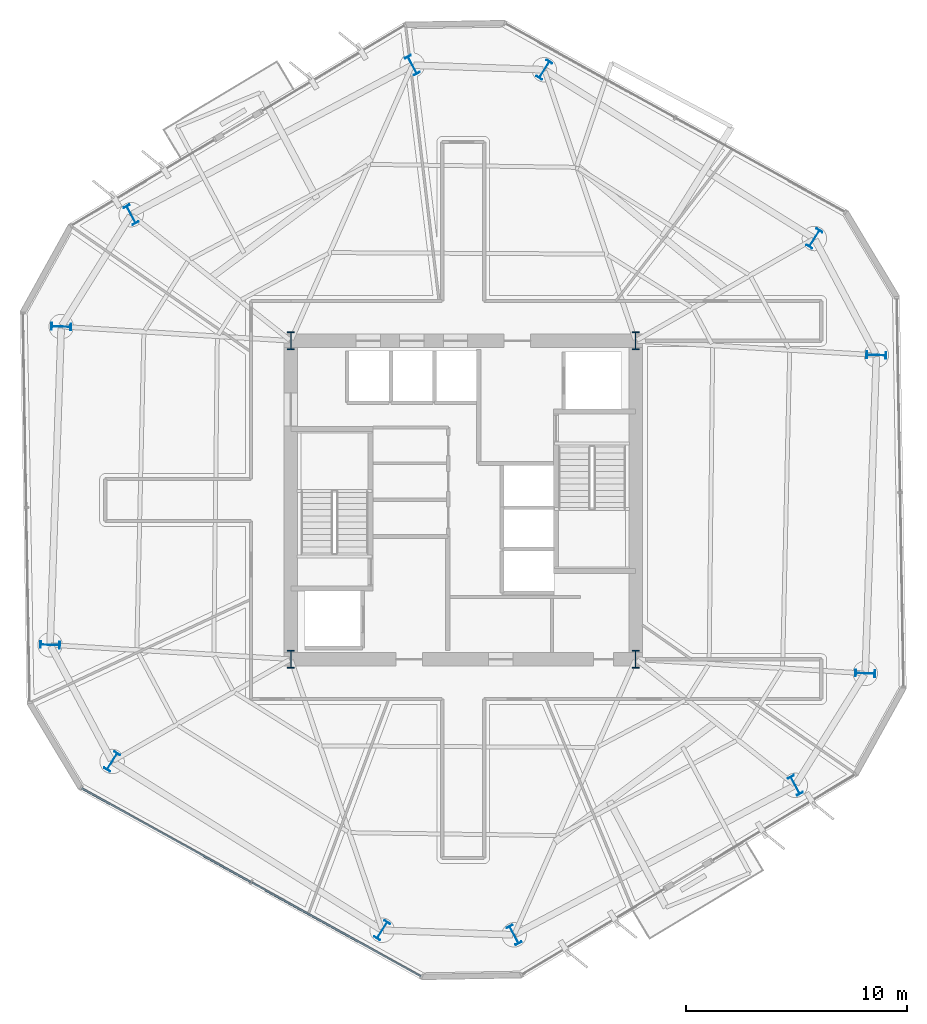
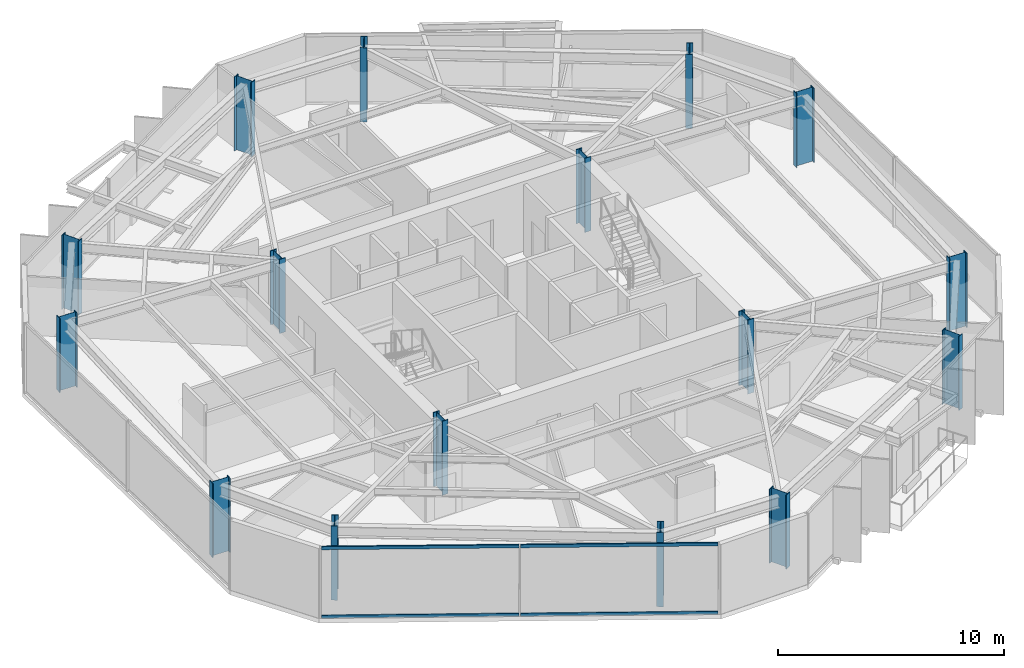
# One storey, part 1 of 11: 16 columns, 4 members, 1 element without a shape of its own.
"""IFC4 building model written with IfcOpenShell, lengths in metres."""

from ifc_helpers import new_model, si_unit, direction, frame, origin, origin_2d, place, context, subcontext, project, spatial, rectangle, i_section, extrude, material, layer, layer_set, material_profile, profile_set, type_object, element, aggregate, save


model = new_model("IFC4")

# Units and contexts
model_context = context("Model", 3, precision=1e-05, world=origin(), true_north=direction((0.0, 1.0)))
body_context = subcontext(model_context, "Body", "Model", "MODEL_VIEW")
ifc_project = project(units=[si_unit("LENGTHUNIT", "METRE"), si_unit("AREAUNIT", "SQUARE_METRE"), si_unit("VOLUMEUNIT", "CUBIC_METRE"), si_unit("PLANEANGLEUNIT", "RADIAN"), si_unit("MASSUNIT", "GRAM", prefix="KILO")], contexts=[model_context])

# Site, building, storey
site_placement = place(None, origin())
site = spatial("IfcSite", under=ifc_project, at=site_placement, CompositionType="ELEMENT")
building_placement = place(site_placement, origin())
building = spatial("IfcBuilding", under=site, at=building_placement, Name="Kranzbogen Civic Tower", CompositionType="ELEMENT")
storey_placement = place(building_placement, frame((0.0, 0.0, 146.39990234375)))
storey = spatial("IfcBuildingStorey", under=building, at=storey_placement, Name="L35", CompositionType="ELEMENT", Elevation=146.39990234375)

# Columns
ifc_material_1 = material(Name="Steel S355", Category="steel")
ifc_material_profile_1 = material_profile(ifc_material_1, i_section(OverallWidth=0.300048828125, OverallDepth=0.89990234375, WebThickness=0.0185546875, FlangeThickness=0.034912109375, at=origin_2d()), Name="HEB 900")
ifc_profile_set_1 = profile_set([ifc_material_profile_1], Name="Steel S355")
column_type_1 = type_object("IfcColumnType", Name="Structural Column HEB 900", PredefinedType="COLUMN", material=ifc_profile_set_1)
for number, where, z_axis, x_axis, name in (
    (1, (40.885986328125, 36.8291015625, 0.0), (0.0, 0.0, 1.0), (-0.848048096156, 0.529919264233, 0.0), "L35 tower perimeter tube column 01"),
    (2, (28.66796875, 44.464111328125, 0.0), (0.0, 0.0, 1.0), (-0.848048096156, 0.529919264233, 0.0), "L35 tower perimeter tube column 02"),
    (3, (22.698974609375, 44.672119140625, 0.0), (0.0, 0.0, 1.0), (0.882947592859, 0.469471562786, 0.0), "L35 tower perimeter tube column 03"),
    (4, (9.97705078125, 37.907958984375, 0.0), (0.0, 0.0, 1.0), (0.882947592859, 0.469471562786, 0.0), "L35 tower perimeter tube column 04"),
    (5, (6.81298828125, 32.843994140625, 0.0), (0.0, 0.0, 1.0), (0.034899496703, 0.999390827019, 0.0), "L35 tower perimeter tube column 05"),
    (6, (6.31005859375, 18.444091796875, 0.0), (0.0, 0.0, 1.0), (0.034899496703, 0.999390827019, 0.0), "L35 tower perimeter tube column 06"),
    (7, (9.114013671875, 13.1708984375, 0.0), (0.0, 0.0, 1.0), (-0.848048096156, 0.529919264233, 0.0), "L35 tower perimeter tube column 07"),
    (8, (21.33203125, 5.535888671875, 0.0), (0.0, 0.0, 1.0), (-0.848048096156, 0.529919264233, 0.0), "L35 tower perimeter tube column 08"),
    (9, (27.301025390625, 5.327880859375, 0.0), (0.0, 0.0, 1.0), (0.882947592859, 0.469471562786, 0.0), "L35 tower perimeter tube column 09"),
    (10, (40.02294921875, 12.092041015625, 0.0), (0.0, 0.0, 1.0), (0.882947592859, 0.469471562786, 0.0), "L35 tower perimeter tube column 10"),
    (11, (43.18701171875, 17.156005859375, 0.0), (0.0, 0.0, 1.0), (0.034899496703, 0.999390827019, 0.0), "L35 tower perimeter tube column 11"),
    (12, (43.68994140625, 31.555908203125, 0.0), (0.0, 0.0, 1.0), (0.034899496703, 0.999390827019, 0.0), "L35 tower perimeter tube column 12"),
):
    element("IfcColumn", number, at=place(storey_placement, frame(where, z_axis=z_axis, x_axis=x_axis)), inside=storey, type_object=column_type_1, Name=name, PredefinedType="COLUMN", context=body_context, shape_type="SweptSolid", body=[
        extrude(i_section(OverallWidth=0.300048828125, OverallDepth=0.89990234375, WebThickness=0.0185546875, FlangeThickness=0.034912109375, at=origin_2d()), origin(), (0.0, 0.0, 1.0), 4.0),
    ])
ifc_material_2 = material(Name="Steel S460", Category="steel")
ifc_material_profile_2 = material_profile(ifc_material_2, i_section(OverallWidth=0.302978515625, OverallDepth=0.81396484375, WebThickness=0.02099609375, FlangeThickness=0.0400390625, at=origin_2d()), Name="HEM 800")
ifc_profile_set_2 = profile_set([ifc_material_profile_2], Name="Steel S460")
column_type_2 = type_object("IfcColumnType", Name="Structural Column HEM 800", PredefinedType="COLUMN", material=ifc_profile_set_2)
for number, where, z_axis, x_axis, name in (
    (13, (17.199951171875, 17.800048828125, 0.0), (0.0, 0.0, 1.0), (1.0, 0.0, 0.0), "L35 composite core corner column 1"),
    (14, (32.800048828125, 17.800048828125, 0.0), (0.0, 0.0, 1.0), (1.0, 0.0, 0.0), "L35 composite core corner column 2"),
    (15, (32.800048828125, 32.199951171875, 0.0), (0.0, 0.0, 1.0), (1.0, 0.0, 0.0), "L35 composite core corner column 3"),
    (16, (17.199951171875, 32.199951171875, 0.0), (0.0, 0.0, 1.0), (1.0, 0.0, 0.0), "L35 composite core corner column 4"),
):
    element("IfcColumn", number, at=place(storey_placement, frame(where, z_axis=z_axis, x_axis=x_axis)), inside=storey, type_object=column_type_2, Name=name, PredefinedType="COLUMN", context=body_context, shape_type="SweptSolid", body=[
        extrude(i_section(OverallWidth=0.302978515625, OverallDepth=0.81396484375, WebThickness=0.02099609375, FlangeThickness=0.0400390625, at=origin_2d()), origin(), (0.0, 0.0, 1.0), 4.0),
    ])

# Curtain wall, members
ifc_material_3 = material(Name="Pale Anodised Aluminium", Category="aluminium")
ifc_layer = layer(ifc_material_3, 0.219970703125, Name="Pale Anodised Aluminium")
ifc_layer_set = layer_set([ifc_layer], Name="Pale Anodised Aluminium")
curtain_wall_type = type_object("IfcCurtainWallType", Name="Zone 2 Stick Curtain Wall System CW-03", PredefinedType="USERDEFINED", material=ifc_layer_set)
curtain_wall_placement = place(storey_placement, origin())
curtain_wall = element("IfcCurtainWall", 17, at=curtain_wall_placement, inside=storey, type_object=curtain_wall_type, Name="L35 curtain wall CW-L35-F4", ObjectType="STICK CURTAIN WALL", PredefinedType="USERDEFINED")
ifc_material_profile_3 = material_profile(ifc_material_3, rectangle(XDim=0.074951171875, YDim=0.1650390625, at=origin_2d()), Name="ALU-T 75x165")
ifc_profile_set_3 = profile_set([ifc_material_profile_3], Name="Pale Anodised Aluminium")
member_type = type_object("IfcMemberType", Name="Curtain Wall Transom ALU-T 75x165", PredefinedType="USERDEFINED", material=ifc_profile_set_3)
member_1_placement = place(storey_placement, frame((7.740478515625, 11.9609375, 0.030029296875), z_axis=(0.874604683596, -0.484836722447, 0.0), x_axis=(0.484836722447, 0.874604683596, 0.0)))
member_1 = element("IfcMember", 18, at=member_1_placement, type_object=member_type, Name="CW-03 transom 1.1", ObjectType="TRANSOM", PredefinedType="USERDEFINED", context=body_context, shape_type="SweptSolid", body=[
    extrude(rectangle(XDim=0.074951171875, YDim=0.1650390625, at=origin_2d()), origin(), (0.0, 0.0, 1.0), 8.744140625),
])
member_2_placement = place(storey_placement, frame((7.740478515625, 11.9609375, 3.72998046875), z_axis=(0.874604683596, -0.484836722447, 0.0), x_axis=(0.484836722447, 0.874604683596, 0.0)))
member_2 = element("IfcMember", 19, at=member_2_placement, type_object=member_type, Name="CW-03 transom 1.2", ObjectType="TRANSOM", PredefinedType="USERDEFINED", context=body_context, shape_type="SweptSolid", body=[
    extrude(rectangle(XDim=0.074951171875, YDim=0.1650390625, at=origin_2d()), origin(), (0.0, 0.0, 1.0), 8.744140625),
])
member_3_placement = place(storey_placement, frame((15.440673828125, 7.6923828125, 0.030029296875), z_axis=(0.874623085261, -0.484803525904, 0.0), x_axis=(0.484803525904, 0.874623085261, 0.0)))
member_3 = element("IfcMember", 20, at=member_3_placement, type_object=member_type, Name="CW-03 transom 2.1", ObjectType="TRANSOM", PredefinedType="USERDEFINED", context=body_context, shape_type="SweptSolid", body=[
    extrude(rectangle(XDim=0.074951171875, YDim=0.1650390625, at=origin_2d()), origin(), (0.0, 0.0, 1.0), 8.744384765625),
])
member_4_placement = place(storey_placement, frame((15.440673828125, 7.6923828125, 3.72998046875), z_axis=(0.874623085261, -0.484803525904, 0.0), x_axis=(0.484803525904, 0.874623085261, 0.0)))
member_4 = element("IfcMember", 21, at=member_4_placement, type_object=member_type, Name="CW-03 transom 2.2", ObjectType="TRANSOM", PredefinedType="USERDEFINED", context=body_context, shape_type="SweptSolid", body=[
    extrude(rectangle(XDim=0.074951171875, YDim=0.1650390625, at=origin_2d()), origin(), (0.0, 0.0, 1.0), 8.744384765625),
])
aggregate(curtain_wall, [member_1, member_2, member_3, member_4])

save(model, "model.ifc")
